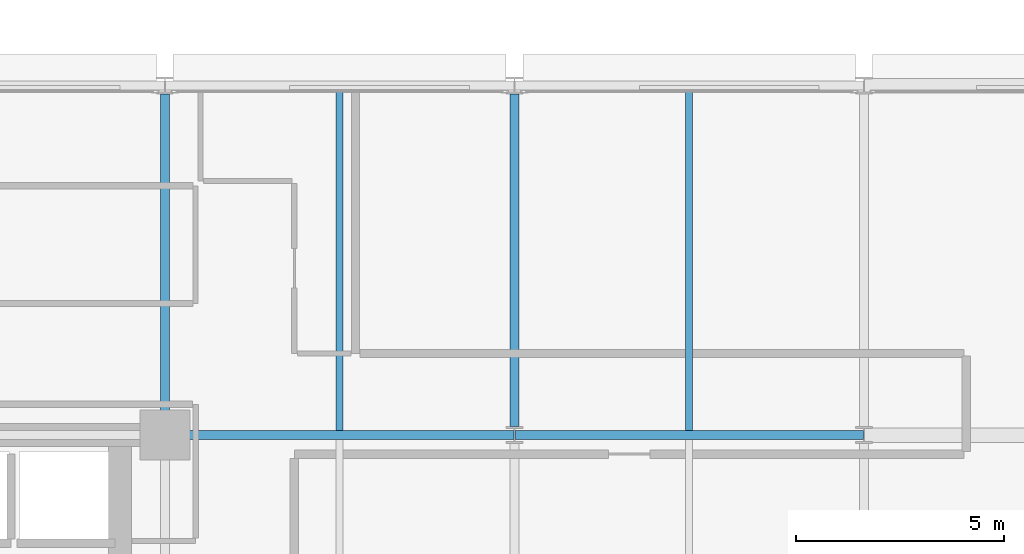
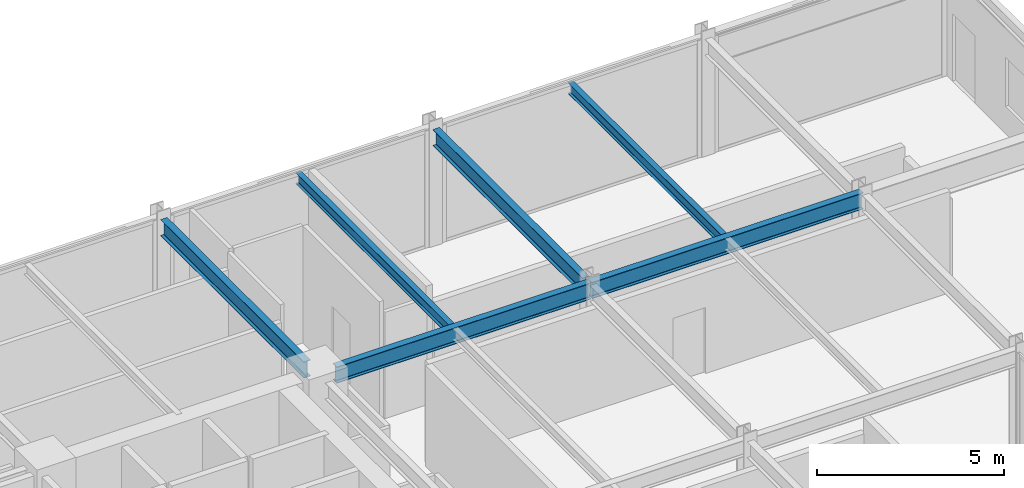
# One storey, part 19 of 39: 6 beams.
"""IFC4 building model written with IfcOpenShell, lengths in metres."""

from ifc_helpers import new_model, si_unit, direction, frame, origin, origin_2d, place, context, subcontext, project, spatial, i_section, extrude, material, material_profile, profile_set, type_object, element, save


model = new_model("IFC4")

# Units and contexts
model_context = context("Model", 3, precision=1e-05, world=origin(), true_north=direction((0.0, 1.0)))
body_context = subcontext(model_context, "Body", "Model", "MODEL_VIEW")
ifc_project = project(units=[si_unit("LENGTHUNIT", "METRE"), si_unit("AREAUNIT", "SQUARE_METRE"), si_unit("VOLUMEUNIT", "CUBIC_METRE"), si_unit("PLANEANGLEUNIT", "RADIAN"), si_unit("MASSUNIT", "GRAM", prefix="KILO")], contexts=[model_context])

# Site, building, storey
site_placement = place(None, origin())
site = spatial("IfcSite", under=ifc_project, at=site_placement, CompositionType="ELEMENT")
building_placement = place(site_placement, origin())
building = spatial("IfcBuilding", under=site, at=building_placement, Name="Nerrivon Quay Data Exchange", CompositionType="ELEMENT")
storey_placement = place(building_placement, frame((0.0, 0.0, 92.60009765625)))
storey = spatial("IfcBuildingStorey", under=building, at=storey_placement, Name="L21", CompositionType="ELEMENT", Elevation=92.60009765625)

# Beams
ifc_material = material(Name="Steel Grade 350", Category="steel")
ifc_material_profile_1 = material_profile(ifc_material, i_section(OverallWidth=0.208984375, OverallDepth=0.532958984375, WebThickness=0.01025390625, FlangeThickness=0.015625, FilletRadius=0.013916015625, at=origin_2d()), Name="530UB92.4")
ifc_profile_set_1 = profile_set([ifc_material_profile_1], Name="Steel Grade 350")
beam_type_1 = type_object("IfcBeamType", Name="BM-G3-530UB92", PredefinedType="BEAM", material=ifc_profile_set_1)
beam_1_placement = place(storey_placement, frame((34.139892578125, 16.800048828125, 3.558349609375), z_axis=(1.0, 0.0, 0.0), x_axis=(0.0, 1.0, 0.0)))
element("IfcBeam", 1, at=beam_1_placement, inside=storey, type_object=beam_type_1, Name="L21 EW Girder Y=16.8 (33.6..42.0)", PredefinedType="BEAM", context=body_context, shape_type="SweptSolid", body=[
    extrude(i_section(OverallWidth=0.208984375, OverallDepth=0.532958984375, WebThickness=0.01025390625, FlangeThickness=0.015625, FilletRadius=0.013916015625, at=origin_2d()), origin(), (0.0, 0.0, 1.0), 7.84765625),
])
beam_2_placement = place(storey_placement, frame((42.012451171875, 16.800048828125, 3.558349609375), z_axis=(1.0, 0.0, 0.0), x_axis=(0.0, 1.0, 0.0)))
element("IfcBeam", 2, at=beam_2_placement, inside=storey, type_object=beam_type_1, Name="L21 EW Girder Y=16.8 (42.0..50.4)", PredefinedType="BEAM", context=body_context, shape_type="SweptSolid", body=[
    extrude(i_section(OverallWidth=0.208984375, OverallDepth=0.532958984375, WebThickness=0.01025390625, FlangeThickness=0.015625, FilletRadius=0.013916015625, at=origin_2d()), origin(), (0.0, 0.0, 1.0), 8.375),
])
ifc_material_profile_2 = material_profile(ifc_material, i_section(OverallWidth=0.208984375, OverallDepth=0.528076171875, WebThickness=0.009521484375, FlangeThickness=0.01318359375, FilletRadius=0.013916015625, at=origin_2d()), Name="530UB82.0")
ifc_profile_set_2 = profile_set([ifc_material_profile_2], Name="Steel Grade 350")
beam_type_2 = type_object("IfcBeamType", Name="BM-G4-530UB82", PredefinedType="BEAM", material=ifc_profile_set_2)
beam_3_placement = place(storey_placement, frame((33.60009765625, 17.340087890625, 3.560791015625), z_axis=(0.0, 1.0, 0.0), x_axis=(-1.0, 0.0, 0.0)))
element("IfcBeam", 3, at=beam_3_placement, inside=storey, type_object=beam_type_2, Name="L21 NS Girder X=33.6 (16.8..25.2)", PredefinedType="BEAM", context=body_context, shape_type="SweptSolid", body=[
    extrude(i_section(OverallWidth=0.208984375, OverallDepth=0.528076171875, WebThickness=0.009521484375, FlangeThickness=0.01318359375, FilletRadius=0.013916015625, at=origin_2d()), origin(), (0.0, 0.0, 1.0), 7.659912109375),
])
beam_4_placement = place(storey_placement, frame((42.0, 17.0, 3.560791015625), z_axis=(0.0, 1.0, 0.0), x_axis=(-1.0, 0.0, 0.0)))
element("IfcBeam", 4, at=beam_4_placement, inside=storey, type_object=beam_type_2, Name="L21 NS Girder X=42.0 (16.8..25.2)", PredefinedType="BEAM", context=body_context, shape_type="SweptSolid", body=[
    extrude(i_section(OverallWidth=0.208984375, OverallDepth=0.528076171875, WebThickness=0.009521484375, FlangeThickness=0.01318359375, FilletRadius=0.013916015625, at=origin_2d()), origin(), (0.0, 0.0, 1.0), 8.0),
])
ifc_material_profile_3 = material_profile(ifc_material, i_section(OverallWidth=0.1708984375, OverallDepth=0.35595703125, WebThickness=0.00732421875, FlangeThickness=0.011474609375, FilletRadius=0.011474609375, at=origin_2d()), Name="360UB50.7")
ifc_profile_set_3 = profile_set([ifc_material_profile_3], Name="Steel Grade 350")
beam_type_3 = type_object("IfcBeamType", Name="BM-J4-360UB51", PredefinedType="JOIST", material=ifc_profile_set_3)
for number, where, z_axis, x_axis, name in (
    (5, (37.800048828125, 16.904541015625, 3.64697265625), (0.0, 1.0, 0.0), (-1.0, 0.0, 0.0), "L21 Secondary Joist X=37.8 (16.8..25.2)"),
    (6, (46.199951171875, 16.904541015625, 3.64697265625), (0.0, 1.0, 0.0), (-1.0, 0.0, 0.0), "L21 Secondary Joist X=46.2 (16.8..25.2)"),
):
    element("IfcBeam", number, at=place(storey_placement, frame(where, z_axis=z_axis, x_axis=x_axis)), inside=storey, type_object=beam_type_3, Name=name, PredefinedType="JOIST", context=body_context, shape_type="SweptSolid", body=[
        extrude(i_section(OverallWidth=0.1708984375, OverallDepth=0.35595703125, WebThickness=0.00732421875, FlangeThickness=0.011474609375, FilletRadius=0.011474609375, at=origin_2d()), origin(), (0.0, 0.0, 1.0), 8.19091796875),
    ])

save(model, "model.ifc")
